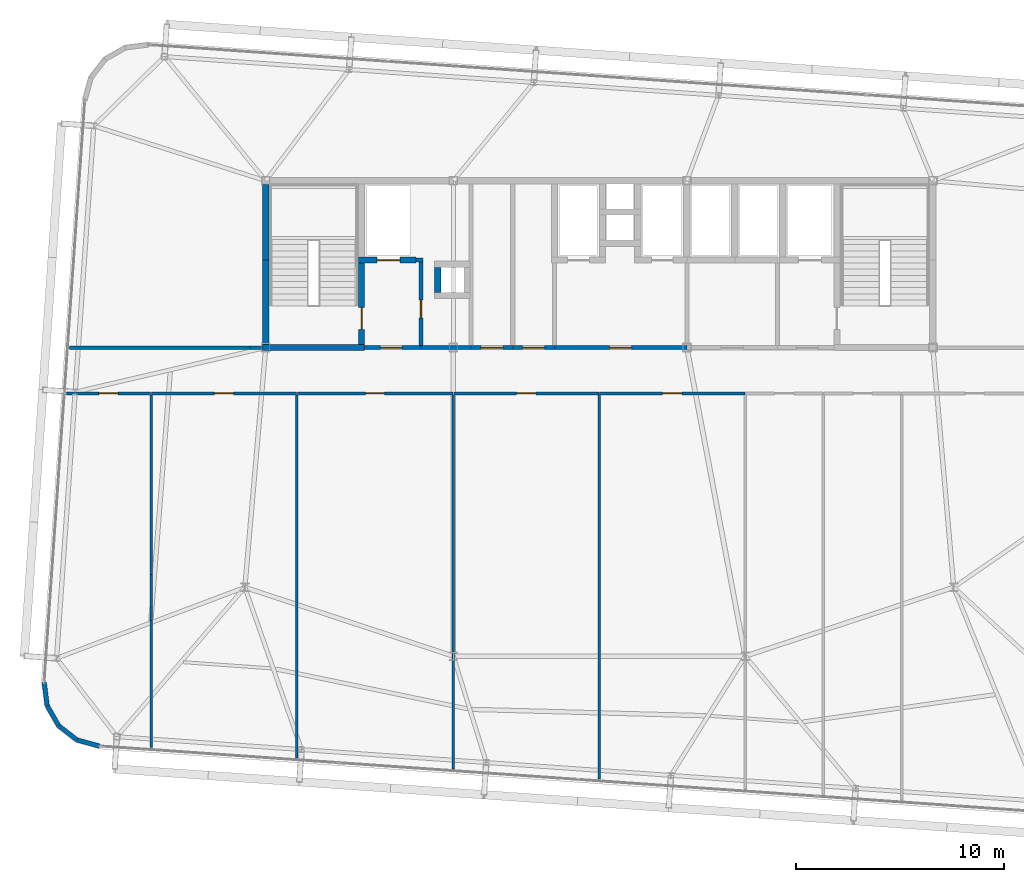
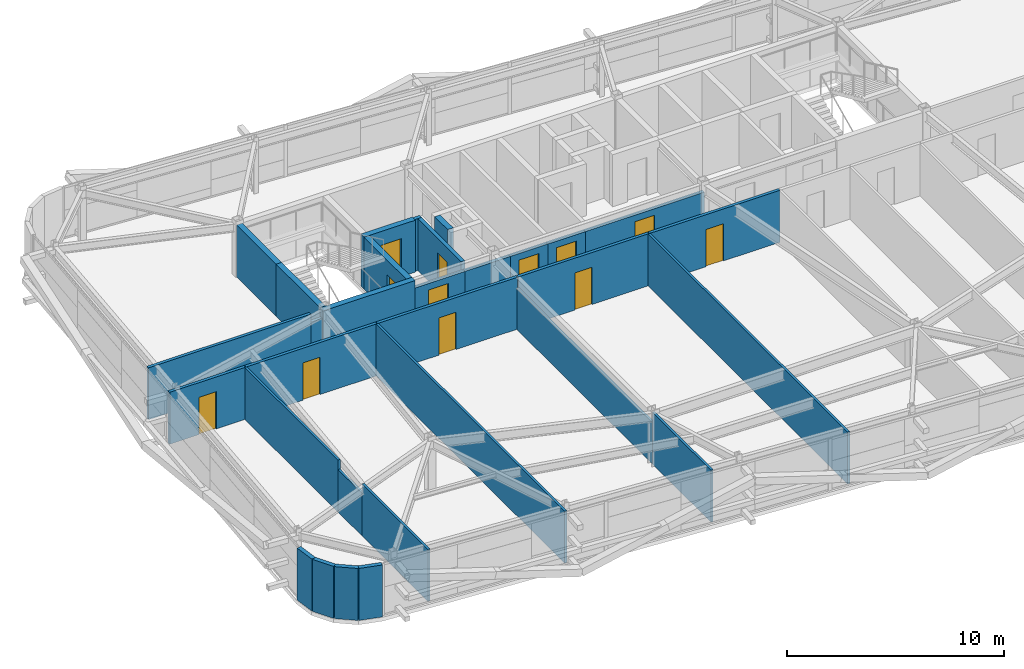
# One storey, part 35 of 39: 31 walls, 12 doors, 12 openings.
"""IFC4 building model written with IfcOpenShell, lengths in metres."""

import ifcopenshell
import ifcopenshell.guid

model = None  # the IFC model being written
_history = None  # IfcOwnerHistory: only IFC2X3 demands one
_inside = {}  # id of a spatial element -> (the spatial element, [elements in it])
_under = {}  # id of a project, library or spatial element -> (it, [spatial elements below it])
_declared = {}  # id of a project -> (the project, [libraries it declares])
_typed = {}  # id of a type object -> (the type object, [elements of that type])
_made_of = {}  # id of a material, layer set ... -> (it, [elements and type objects made of it])


def new_model(schema):
    """Start an empty IFC model of exactly this schema.

    Asked for "IFC4X3", IfcOpenShell would pick the latest addendum, in which some entities
    have other attributes; the version numbers below select the first issue.
    IFC2X3 requires an IfcOwnerHistory on every rooted entity: one is made here for all.
    """
    global model, _history
    if schema == "IFC4X3":
        model = ifcopenshell.file(schema_version=(4, 3, 0, 0))
    else:
        model = ifcopenshell.file(schema=schema)
    _inside.clear()
    _under.clear()
    _declared.clear()
    _typed.clear()
    _made_of.clear()
    _history = None
    if model.schema == "IFC2X3":
        org = make("IfcOrganization", Name="unknown")
        user = make(
            "IfcPersonAndOrganization",
            ThePerson=make("IfcPerson", FamilyName="unknown"),
            TheOrganization=org,
        )
        app = make(
            "IfcApplication",
            ApplicationDeveloper=org,
            Version="unknown",
            ApplicationFullName="unknown",
            ApplicationIdentifier="unknown",
        )
        _history = make(
            "IfcOwnerHistory",
            OwningUser=user,
            OwningApplication=app,
            ChangeAction="ADDED",
            CreationDate=0,
        )
    return model


def make(cls, **values):
    """One entity of the class cls with the attributes given. An attribute that is None is left unset."""
    return model.create_entity(
        cls, **{name: value for name, value in values.items() if value is not None}
    )


def rooted(cls, **values):
    """An entity with a GlobalId (a new one), such as an element, a storey or a relation."""
    return make(cls, GlobalId=ifcopenshell.guid.new(), OwnerHistory=_history, **values)


def si_unit(unit_type, name, prefix=None):
    """IfcSIUnit, for example si_unit("LENGTHUNIT", "METRE", prefix="MILLI")."""
    return make("IfcSIUnit", UnitType=unit_type, Prefix=prefix, Name=name)


def assignment(units):
    """IfcUnitAssignment: the units of a project."""
    return None if units is None else make("IfcUnitAssignment", Units=units)


def point(xyz):
    """IfcCartesianPoint."""
    return None if xyz is None else make("IfcCartesianPoint", Coordinates=xyz)


def direction(xyz):
    """IfcDirection."""
    return None if xyz is None else make("IfcDirection", DirectionRatios=xyz)


def frame(location, z_axis=None, x_axis=None):
    """IfcAxis2Placement3D, a coordinate frame: its origin and axes. An axis left out is left unset."""
    return make(
        "IfcAxis2Placement3D",
        Location=point(location),
        Axis=direction(z_axis),
        RefDirection=direction(x_axis),
    )


def frame_2d(location, x_axis=None):
    """IfcAxis2Placement2D, a coordinate frame in the plane: its origin and x axis."""
    return make(
        "IfcAxis2Placement2D", Location=point(location), RefDirection=direction(x_axis)
    )


def origin():
    """The frame at (0, 0, 0) with its axes left unset."""
    return frame((0.0, 0.0, 0.0))


def place(relative_to, where):
    """IfcLocalPlacement: puts the frame where relative to a parent placement (None: the world)."""
    return make(
        "IfcLocalPlacement", PlacementRelTo=relative_to, RelativePlacement=where
    )


def context(
    kind, dimensions, precision=None, world=None, true_north=None, identifier=None
):
    """IfcGeometricRepresentationContext, for example the 3D "Model" context."""
    return make(
        "IfcGeometricRepresentationContext",
        ContextIdentifier=identifier,
        ContextType=kind,
        CoordinateSpaceDimension=dimensions,
        Precision=precision,
        WorldCoordinateSystem=world,
        TrueNorth=true_north,
    )


def subcontext(parent, identifier, kind, view, scale=None):
    """IfcGeometricRepresentationSubContext, for example "Body" below "Model"."""
    return make(
        "IfcGeometricRepresentationSubContext",
        ContextIdentifier=identifier,
        ContextType=kind,
        ParentContext=parent,
        TargetScale=scale,
        TargetView=view,
    )


def project(units=None, contexts=None):
    """IfcProject with its units and contexts."""
    return rooted(
        "IfcProject",
        Name="project",
        RepresentationContexts=contexts,
        UnitsInContext=assignment(units),
    )


def spatial(cls, under=None, at=None, **own):
    """A site, building, storey or space (cls), placed at a placement, below another one or the project."""
    s = rooted(cls, ObjectPlacement=at, **own)
    if under is not None:
        _under.setdefault(under.id(), (under, []))[1].append(s)
    return s


def profile(cls, at=None, kind="AREA", **sizes):
    """A parametric profile (cls). Its sizes go by their IFC names, for example OverallWidth=200.0."""
    return make(cls, ProfileType=kind, Position=at, **sizes)


def rectangle(**sizes):
    """IfcRectangleProfileDef."""
    return profile("IfcRectangleProfileDef", **sizes)


def extrude(swept, where, along, depth):
    """IfcExtrudedAreaSolid: the profile swept, set in the frame where, extruded along a direction by depth."""
    return make(
        "IfcExtrudedAreaSolid",
        SweptArea=swept,
        Position=where,
        ExtrudedDirection=direction(along),
        Depth=depth,
    )


def shape(context_of_items, identifier, shape_type, items):
    """IfcShapeRepresentation: the items that make up one representation, for example the "Body"."""
    return make(
        "IfcShapeRepresentation",
        ContextOfItems=context_of_items,
        RepresentationIdentifier=identifier,
        RepresentationType=shape_type,
        Items=items,
    )


def source(mapping_origin, context_of_items, identifier, shape_type, items):
    """IfcRepresentationMap: a shape defined once, which mapped items show again and again."""
    return make(
        "IfcRepresentationMap",
        MappingOrigin=mapping_origin,
        MappedRepresentation=shape(context_of_items, identifier, shape_type, items),
    )


def transform(
    local_origin,
    x_axis=None,
    y_axis=None,
    z_axis=None,
    scale=None,
    scale2=None,
    scale3=None,
    uniform=True,
):
    """IfcCartesianTransformationOperator3D, or its non-uniform kind. x_axis, y_axis, z_axis: its Axis1, 2, 3."""
    if uniform:
        return make(
            "IfcCartesianTransformationOperator3D",
            Axis1=direction(x_axis),
            Axis2=direction(y_axis),
            LocalOrigin=point(local_origin),
            Scale=scale,
            Axis3=direction(z_axis),
        )
    return make(
        "IfcCartesianTransformationOperator3DnonUniform",
        Axis1=direction(x_axis),
        Axis2=direction(y_axis),
        LocalOrigin=point(local_origin),
        Scale=scale,
        Axis3=direction(z_axis),
        Scale2=scale2,
        Scale3=scale3,
    )


def mapped(mapping_source, mapping_target):
    """IfcMappedItem: shows the shape of a source again, moved by a transform."""
    return make(
        "IfcMappedItem", MappingSource=mapping_source, MappingTarget=mapping_target
    )


def material(Name=None, Category=None):
    """IfcMaterial."""
    return make("IfcMaterial", Name=Name, Category=Category)


def layer(
    of_material, thickness, ventilated=None, Name=None, Category=None, Priority=None
):
    """IfcMaterialLayer: one layer of a wall or slab, of a material (None: an air gap)."""
    return make(
        "IfcMaterialLayer",
        Material=of_material,
        LayerThickness=thickness,
        IsVentilated=ventilated,
        Name=Name,
        Category=Category,
        Priority=Priority,
    )


def layer_set(layers, Name=None):
    """IfcMaterialLayerSet."""
    return make("IfcMaterialLayerSet", MaterialLayers=layers, LayerSetName=Name)


def made_of(thing, what):
    """Note that an element or type object is made of a material, layer set ...; save() writes the relation."""
    if what is not None:
        _made_of.setdefault(what.id(), (what, []))[1].append(thing)
    return thing


def type_object(cls, material=None, **own):
    """A type object (cls), such as IfcWallType, which elements share."""
    return made_of(rooted(cls, **own), material)


def element(
    cls,
    number,
    at=None,
    inside=None,
    cuts=None,
    type_object=None,
    material=None,
    context=None,
    identifier="Body",
    shape_type=None,
    held_by="IfcProductDefinitionShape",
    body=None,
    shapes=None,
    **own,
):
    """One element of the class cls, such as IfcWall. Its Tag is "e" and its number.

    at: its placement. inside: the storey or other place that contains it. cuts: it is an
    opening in that element (IfcRelVoidsElement). A single representation is given by context,
    identifier, shape_type and body (its items); several are given by shapes. held_by: the class
    of the entity that holds the representations. save() writes the other relations.
    """
    e = rooted(cls, Tag="e%d" % number, ObjectPlacement=at, **own)
    if body is not None:
        shapes = [shape(context, identifier, shape_type, body)]
    if shapes is not None:
        e.Representation = make(held_by, Representations=shapes)
    if inside is not None:
        _inside.setdefault(inside.id(), (inside, []))[1].append(e)
    if cuts is not None:
        rooted(
            "IfcRelVoidsElement", RelatingBuildingElement=cuts, RelatedOpeningElement=e
        )
    if type_object is not None:
        _typed.setdefault(type_object.id(), (type_object, []))[1].append(e)
    return made_of(e, material)


def fill(opening, filler):
    """IfcRelFillsElement: the door or window that sits in an opening."""
    return rooted(
        "IfcRelFillsElement",
        RelatingOpeningElement=opening,
        RelatedBuildingElement=filler,
    )


def aggregate(whole, parts):
    """IfcRelAggregates: a whole, such as a stair, and the parts it consists of."""
    return rooted("IfcRelAggregates", RelatingObject=whole, RelatedObjects=parts)


def save(model, path):
    """Write the relations noted so far, then the file.

    IfcRelAggregates (storeys below a building ...), IfcRelContainedInSpatialStructure (elements
    in a storey), IfcRelDefinesByType, IfcRelAssociatesMaterial and IfcRelDeclares: one each for
    every whole, place, type object, material and project.
    """
    for whole, parts in _under.values():
        aggregate(whole, parts)
    for where, things in _inside.values():
        rooted(
            "IfcRelContainedInSpatialStructure",
            RelatedElements=things,
            RelatingStructure=where,
        )
    for kind, things in _typed.values():
        rooted("IfcRelDefinesByType", RelatedObjects=things, RelatingType=kind)
    for what, things in _made_of.values():
        rooted("IfcRelAssociatesMaterial", RelatedObjects=things, RelatingMaterial=what)
    for by, libraries in _declared.values():
        rooted("IfcRelDeclares", RelatingContext=by, RelatedDefinitions=libraries)
    model.write(path)


model = new_model("IFC4")

# Units and contexts
model_context = context("Model", 3, precision=1e-05, world=origin(), true_north=direction((0.0, 1.0)))
body_context = subcontext(model_context, "Body", "Model", "MODEL_VIEW")
ifc_project = project(units=[si_unit("LENGTHUNIT", "METRE"), si_unit("AREAUNIT", "SQUARE_METRE"), si_unit("VOLUMEUNIT", "CUBIC_METRE"), si_unit("PLANEANGLEUNIT", "RADIAN"), si_unit("MASSUNIT", "GRAM", prefix="KILO")], contexts=[model_context])

# Site, building, storey
site_placement = place(None, origin())
site = spatial("IfcSite", under=ifc_project, at=site_placement, CompositionType="ELEMENT")
building_placement = place(site_placement, origin())
building = spatial("IfcBuilding", under=site, at=building_placement, Name="Taldren Reach Tower", CompositionType="ELEMENT")
storey_placement = place(building_placement, frame((0.0, 0.0, 155.050048828125)))
storey = spatial("IfcBuildingStorey", under=building, at=storey_placement, Name="L47", CompositionType="ELEMENT", Elevation=155.050048828125)

# Walls
ifc_material_1 = material(Name="Pale Champagne Anodised Aluminium Cladding", Category="aluminium")
ifc_layer_1 = layer(ifc_material_1, 0.04, Name="Pale Champagne Anodised Aluminium Cladding", Category="aluminium")
ifc_material_2 = material(Name="Mineral Wool Acoustic Insulation", Category="insulation")
ifc_layer_2 = layer(ifc_material_2, 0.06, Name="Mineral Wool Acoustic Insulation", Category="insulation")
ifc_material_3 = material(Name="Steel Gr 350 (C350L0)", Category="steel")
ifc_layer_3 = layer(ifc_material_3, 0.12, Name="Steel Gr 350 (C350L0)", Category="steel")
ifc_layer_set_1 = layer_set([ifc_layer_1, ifc_layer_2, ifc_layer_3], Name="Pale Champagne Aluminium Cladding and Steel Gr 350 Stud Framing")
wall_type_1 = type_object("IfcWallType", Name="EW-CRN-220", PredefinedType="SOLIDWALL", material=ifc_layer_set_1)
shared_shape_1 = source(origin(), body_context, "Body", "SweptSolid", [
    extrude(rectangle(XDim=1.115966796875, YDim=0.219970703125, at=frame_2d((0.55810546875, 0.0))), origin(), (0.0, 0.0, 1.0), 2.929931640625),
])
for number, where, z_axis, x_axis, name in (
    (1, (8.37646484375, 7.93798828125, 0.0), (0.0, 0.0, 1.0), (0.126242535829, -0.991999406324, 0.0), "Rounded-corner pale-metal facade wall L47-SW1"),
    (2, (8.517333984375, 6.8310546875, 0.0), (0.0, 0.0, 1.0), (0.496138938357, -0.868243142124, 0.0), "Rounded-corner pale-metal facade wall L47-SW2"),
    (3, (9.071044921875, 5.862060546875, 0.0), (0.0, 0.0, 1.0), (0.790716874741, -0.612182018684, 0.0), "Rounded-corner pale-metal facade wall L47-SW3"),
    (4, (9.953369140625, 5.178955078125, 0.0), (0.0, 0.0, 1.0), (0.964804199372, -0.262969307856, 0.0), "Rounded-corner pale-metal facade wall L47-SW4"),
):
    element("IfcWall", number, at=place(storey_placement, frame(where, z_axis=z_axis, x_axis=x_axis)), inside=storey, type_object=wall_type_1, Name=name, PredefinedType="SOLIDWALL", context=body_context, shape_type="MappedRepresentation", body=[
        mapped(shared_shape_1, transform((0.0, 0.0, 0.0), scale=1.0)),
    ])

# Wall, opening, door
ifc_material_4 = material(Name="Concrete S50 (50 MPa)", Category="concrete")
ifc_layer_4 = layer(ifc_material_4, 0.199951171875)
ifc_layer_set_2 = layer_set([ifc_layer_4], Name="Concrete S50 (50 MPa)")
wall_type_2 = type_object("IfcWallType", Name="IW-CORE-200", PredefinedType="SOLIDWALL", material=ifc_layer_set_2)
shared_shape_2 = source(origin(), body_context, "Body", "SweptSolid", [
    extrude(rectangle(XDim=2.0, YDim=0.199951171875, at=frame_2d((1.0, 0.0))), origin(), (0.0, 0.0, 1.0), 2.469970703125),
])
wall_1_placement = place(storey_placement, frame((30.85009765625, 24.0, 0.0), z_axis=(0.0, 0.0, 1.0), x_axis=(-1.0, 0.0, 0.0)))
wall_1 = element("IfcWall", 5, at=wall_1_placement, inside=storey, type_object=wall_type_2, Name="Rear Core Shear Wall W-INT-L47-039", PredefinedType="SOLIDWALL", context=body_context, shape_type="MappedRepresentation", body=[
    mapped(shared_shape_2, transform((0.0, 0.0, 0.0), scale=1.0)),
])
shared_shape_3 = source(origin(), body_context, "Body", "SweptSolid", [
    extrude(rectangle(XDim=1.050048828125, YDim=2.10009765625, at=frame_2d((0.52490234375, 1.050048828125))), frame((0.0, 0.10986328125, 0.0), z_axis=(0.0, -1.0, 0.0), x_axis=(1.0, 0.0, 0.0)), (0.0, 0.0, 1.0), 0.219970703125),
])
opening_1_placement = place(wall_1_placement, frame((0.47509765625, 0.0, 0.0)))
opening_1 = element("IfcOpeningElement", 6, at=opening_1_placement, cuts=wall_1, Name="Opening DF-105", PredefinedType="OPENING", context=body_context, shape_type="MappedRepresentation", body=[
    mapped(shared_shape_3, transform((0.0, 0.0, 0.0), scale=1.0)),
])
ifc_material_5 = material(Name="Fire-Rated Care and Stair Exit Door")
door_type_1 = type_object("IfcDoorType", Name="ID-FIRE-105", OperationType="NOTDEFINED", PredefinedType="DOOR", material=ifc_material_5)
shared_shape_4 = source(origin(), body_context, "Body", "SweptSolid", [
    extrude(rectangle(XDim=1.050048828125, YDim=2.10009765625, at=frame_2d((0.52490234375, 1.050048828125))), frame((0.0, 0.02490234375, 0.0), z_axis=(0.0, -1.0, 0.0), x_axis=(1.0, 0.0, 0.0)), (0.0, 0.0, 1.0), 0.050048828125),
])
door_1_placement = place(opening_1_placement, frame((1.050048828125, 0.0, 0.0), z_axis=(0.0, 0.0, 1.0), x_axis=(-1.0, 0.0, 0.0)))
door_1 = element("IfcDoor", 7, at=door_1_placement, inside=storey, type_object=door_type_1, Name="Interior Door DR-L47-006", OperationType="SINGLE_SWING_RIGHT", OverallHeight=2.10009765625, OverallWidth=1.050048828125, PredefinedType="DOOR", context=body_context, shape_type="MappedRepresentation", body=[
    mapped(shared_shape_4, transform((0.0, 0.0, 0.0), scale=1.0)),
])
fill(opening_1, door_1)

wall_2_placement = place(storey_placement, frame((32.85009765625, 24.0, 0.0), z_axis=(0.0, 0.0, 1.0), x_axis=(-1.0, 0.0, 0.0)))
wall_2 = element("IfcWall", 8, at=wall_2_placement, inside=storey, type_object=wall_type_2, Name="Rear Core Shear Wall W-INT-L47-040", PredefinedType="SOLIDWALL", context=body_context, shape_type="MappedRepresentation", body=[
    mapped(shared_shape_2, transform((0.0, 0.0, 0.0), scale=1.0)),
])
opening_2_placement = place(wall_2_placement, frame((0.47509765625, 0.0, 0.0)))
opening_2 = element("IfcOpeningElement", 9, at=opening_2_placement, cuts=wall_2, Name="Opening DF-105", PredefinedType="OPENING", context=body_context, shape_type="MappedRepresentation", body=[
    mapped(shared_shape_3, transform((0.0, 0.0, 0.0), scale=1.0)),
])
door_2_placement = place(opening_2_placement, frame((1.050048828125, 0.0, 0.0), z_axis=(0.0, 0.0, 1.0), x_axis=(-1.0, 0.0, 0.0)))
door_2 = element("IfcDoor", 10, at=door_2_placement, inside=storey, type_object=door_type_1, Name="Interior Door DR-L47-007", OperationType="SINGLE_SWING_LEFT", OverallHeight=2.10009765625, OverallWidth=1.050048828125, PredefinedType="DOOR", context=body_context, shape_type="MappedRepresentation", body=[
    mapped(shared_shape_4, transform((0.0, 0.0, 0.0), scale=1.0)),
])
fill(opening_2, door_2)

# Walls
ifc_material_6 = material(Name="Concrete S65 (65 MPa)", Category="concrete")
ifc_layer_5 = layer(ifc_material_6, 0.300048828125)
ifc_layer_set_3 = layer_set([ifc_layer_5], Name="Concrete S65 (65 MPa)")
wall_type_3 = type_object("IfcWallType", Name="IW-CORE-300", PredefinedType="SHEAR", material=ifc_layer_set_3)
shared_shape_5 = source(origin(), body_context, "Body", "SweptSolid", [
    extrude(rectangle(XDim=4.050048828125, YDim=0.300048828125, at=frame_2d((2.02490234375, 0.0))), origin(), (0.0, 0.0, 1.0), 2.929931640625),
])
wall_3_placement = place(storey_placement, frame((19.0, 24.14990234375, 0.0), z_axis=(0.0, 0.0, 1.0), x_axis=(0.0, 1.0, 0.0)))
element("IfcWall", 11, at=wall_3_placement, inside=storey, type_object=wall_type_3, Name="Rear Core Shear Wall W-CORE-L47-WEST1", PredefinedType="SHEAR", context=body_context, shape_type="MappedRepresentation", body=[
    mapped(shared_shape_5, transform((0.0, 0.0, 0.0), scale=1.0)),
])
shared_shape_6 = source(origin(), body_context, "Body", "SweptSolid", [
    extrude(rectangle(XDim=3.650146484375, YDim=0.300048828125, at=frame_2d((1.8251953125, 0.0))), origin(), (0.0, 0.0, 1.0), 2.929931640625),
])
wall_4_placement = place(storey_placement, frame((19.0, 28.199951171875, 0.0), z_axis=(0.0, 0.0, 1.0), x_axis=(0.0, 1.0, 0.0)))
element("IfcWall", 12, at=wall_4_placement, inside=storey, type_object=wall_type_3, Name="Rear Core Shear Wall W-CORE-L47-WEST2", PredefinedType="SHEAR", context=body_context, shape_type="MappedRepresentation", body=[
    mapped(shared_shape_6, transform((0.0, 0.0, 0.0), scale=1.0)),
])

# Wall, opening, door
shared_shape_7 = source(origin(), body_context, "Body", "SweptSolid", [
    extrude(rectangle(XDim=3.900146484375, YDim=0.300048828125, at=frame_2d((1.9501953125, 0.0))), origin(), (0.0, 0.0, 1.0), 2.929931640625),
])
wall_5_placement = place(storey_placement, frame((23.60009765625, 24.14990234375, 0.0), z_axis=(0.0, 0.0, 1.0), x_axis=(0.0, 1.0, 0.0)))
wall_5 = element("IfcWall", 13, at=wall_5_placement, inside=storey, type_object=wall_type_3, Name="Rear Core Shear Wall W-INT-L47-002", PredefinedType="SHEAR", context=body_context, shape_type="MappedRepresentation", body=[
    mapped(shared_shape_7, transform((0.0, 0.0, 0.0), scale=1.0)),
])
shared_shape_8 = source(origin(), body_context, "Body", "SweptSolid", [
    extrude(rectangle(XDim=1.050048828125, YDim=2.10009765625, at=frame_2d((0.52490234375, 1.050048828125))), frame((0.0, 0.16015625, 0.0), z_axis=(0.0, -1.0, 0.0), x_axis=(1.0, 0.0, 0.0)), (0.0, 0.0, 1.0), 0.320068359375),
])
opening_3_placement = place(wall_5_placement, frame((0.72509765625, 0.0, 0.0)))
opening_3 = element("IfcOpeningElement", 14, at=opening_3_placement, cuts=wall_5, Name="Opening DF-105", PredefinedType="OPENING", context=body_context, shape_type="MappedRepresentation", body=[
    mapped(shared_shape_8, transform((0.0, 0.0, 0.0), scale=1.0)),
])
door_3_placement = place(opening_3_placement, origin())
door_3 = element("IfcDoor", 15, at=door_3_placement, inside=storey, type_object=door_type_1, Name="Fire Exit Stair Door DR-L47-001", OperationType="SINGLE_SWING_LEFT", OverallHeight=2.10009765625, OverallWidth=1.050048828125, PredefinedType="DOOR", context=body_context, shape_type="MappedRepresentation", body=[
    mapped(shared_shape_4, transform((0.0, 0.0, 0.0), scale=1.0)),
])
fill(opening_3, door_3)

# Wall
shared_shape_9 = source(origin(), body_context, "Body", "SweptSolid", [
    extrude(rectangle(XDim=4.89990234375, YDim=0.300048828125, at=frame_2d((2.449951171875, 0.0))), origin(), (0.0, 0.0, 1.0), 2.929931640625),
])
wall_6_placement = place(storey_placement, frame((18.85009765625, 24.0, 0.0), z_axis=(0.0, 0.0, 1.0), x_axis=(1.0, 0.0, 0.0)))
element("IfcWall", 16, at=wall_6_placement, inside=storey, type_object=wall_type_3, Name="Rear Core Shear Wall W-INT-L47-003", PredefinedType="SHEAR", context=body_context, shape_type="MappedRepresentation", body=[
    mapped(shared_shape_9, transform((0.0, 0.0, 0.0), scale=1.0)),
])

# Wall, opening, door
shared_shape_10 = source(origin(), body_context, "Body", "SweptSolid", [
    extrude(rectangle(XDim=2.699951171875, YDim=0.199951171875, at=frame_2d((1.35009765625, 0.0))), origin(), (0.0, 0.0, 1.0), 2.469970703125),
])
wall_7_placement = place(storey_placement, frame((23.75, 24.0, 0.0), z_axis=(0.0, 0.0, 1.0), x_axis=(1.0, 0.0, 0.0)))
wall_7 = element("IfcWall", 17, at=wall_7_placement, inside=storey, type_object=wall_type_2, Name="Rear Core Shear Wall W-INT-L47-006", PredefinedType="SOLIDWALL", context=body_context, shape_type="MappedRepresentation", body=[
    mapped(shared_shape_10, transform((0.0, 0.0, 0.0), scale=1.0)),
])
opening_4_placement = place(wall_7_placement, frame((0.75, 0.0, 0.0)))
opening_4 = element("IfcOpeningElement", 18, at=opening_4_placement, cuts=wall_7, Name="Opening DF-105", PredefinedType="OPENING", context=body_context, shape_type="MappedRepresentation", body=[
    mapped(shared_shape_3, transform((0.0, 0.0, 0.0), scale=1.0)),
])
door_4_placement = place(opening_4_placement, origin())
door_4 = element("IfcDoor", 19, at=door_4_placement, inside=storey, type_object=door_type_1, Name="Interior Door DR-L47-002", OperationType="SINGLE_SWING_LEFT", OverallHeight=2.10009765625, OverallWidth=1.050048828125, PredefinedType="DOOR", context=body_context, shape_type="MappedRepresentation", body=[
    mapped(shared_shape_4, transform((0.0, 0.0, 0.0), scale=1.0)),
])
fill(opening_4, door_4)

# Wall
shared_shape_11 = source(origin(), body_context, "Body", "SweptSolid", [
    extrude(rectangle(XDim=1.2001953125, YDim=0.300048828125, at=frame_2d((0.60009765625, 0.0))), origin(), (0.0, 0.0, 1.0), 2.929931640625),
])
wall_8_placement = place(storey_placement, frame((27.25, 27.85009765625, 0.0), z_axis=(0.0, 0.0, 1.0), x_axis=(0.0, -1.0, 0.0)))
element("IfcWall", 20, at=wall_8_placement, inside=storey, type_object=wall_type_3, Name="Rear Core Shear Wall W-INT-L47-021", PredefinedType="SHEAR", context=body_context, shape_type="MappedRepresentation", body=[
    mapped(shared_shape_11, transform((0.0, 0.0, 0.0), scale=1.0)),
])

# Wall, opening, door
shared_shape_12 = source(origin(), body_context, "Body", "SweptSolid", [
    extrude(rectangle(XDim=4.0, YDim=0.199951171875, at=frame_2d((2.0, 0.0))), origin(), (0.0, 0.0, 1.0), 2.929931640625),
])
wall_9_placement = place(storey_placement, frame((26.449951171875, 24.10009765625, 0.0), z_axis=(0.0, 0.0, 1.0), x_axis=(0.0, 1.0, 0.0)))
wall_9 = element("IfcWall", 21, at=wall_9_placement, inside=storey, type_object=wall_type_2, Name="Rear Core Shear Wall W-INT-L47-005", PredefinedType="SOLIDWALL", context=body_context, shape_type="MappedRepresentation", body=[
    mapped(shared_shape_12, transform((0.0, 0.0, 0.0), scale=1.0)),
])
shared_shape_13 = source(origin(), body_context, "Body", "SweptSolid", [
    extrude(rectangle(XDim=0.860107421875, YDim=2.10009765625, at=frame_2d((0.43017578125, 1.050048828125))), frame((0.0, 0.10986328125, 0.0), z_axis=(0.0, -1.0, 0.0), x_axis=(1.0, 0.0, 0.0)), (0.0, 0.0, 1.0), 0.219970703125),
])
opening_5_placement = place(wall_9_placement, frame((1.320068359375, 0.0, 0.0)))
opening_5 = element("IfcOpeningElement", 22, at=opening_5_placement, cuts=wall_9, Name="Opening DI-086", PredefinedType="OPENING", context=body_context, shape_type="MappedRepresentation", body=[
    mapped(shared_shape_13, transform((0.0, 0.0, 0.0), scale=1.0)),
])
ifc_material_7 = material(Name="Timber Bathroom Door", Category="wood")
door_type_2 = type_object("IfcDoorType", Name="ID-INT-086", OperationType="NOTDEFINED", PredefinedType="DOOR", material=ifc_material_7)
shared_shape_14 = source(origin(), body_context, "Body", "SweptSolid", [
    extrude(rectangle(XDim=0.860107421875, YDim=2.10009765625, at=frame_2d((0.43017578125, 1.050048828125))), frame((0.0, 0.02490234375, 0.0), z_axis=(0.0, -1.0, 0.0), x_axis=(1.0, 0.0, 0.0)), (0.0, 0.0, 1.0), 0.050048828125),
])
door_5_placement = place(opening_5_placement, frame((0.860107421875, 0.0, 0.0), z_axis=(0.0, 0.0, 1.0), x_axis=(-1.0, 0.0, 0.0)))
door_5 = element("IfcDoor", 23, at=door_5_placement, inside=storey, type_object=door_type_2, Name="Interior Door DR-L47-019", OperationType="SINGLE_SWING_RIGHT", OverallHeight=2.10009765625, OverallWidth=0.860107421875, PredefinedType="DOOR", context=body_context, shape_type="MappedRepresentation", body=[
    mapped(shared_shape_14, transform((0.0, 0.0, 0.0), scale=1.0)),
])
fill(opening_5, door_5)

shared_shape_15 = source(origin(), body_context, "Body", "SweptSolid", [
    extrude(rectangle(XDim=6.349853515625, YDim=0.199951171875, at=frame_2d((3.1748046875, 0.0))), origin(), (0.0, 0.0, 1.0), 2.469970703125),
])
wall_10_placement = place(storey_placement, frame((39.199951171875, 24.0, 0.0), z_axis=(0.0, 0.0, 1.0), x_axis=(-1.0, 0.0, 0.0)))
wall_10 = element("IfcWall", 24, at=wall_10_placement, inside=storey, type_object=wall_type_2, Name="Rear Core Shear Wall W-INT-L47-032", PredefinedType="SOLIDWALL", context=body_context, shape_type="MappedRepresentation", body=[
    mapped(shared_shape_15, transform((0.0, 0.0, 0.0), scale=1.0)),
])
opening_6_placement = place(wall_10_placement, frame((2.64990234375, 0.0, 0.0)))
opening_6 = element("IfcOpeningElement", 25, at=opening_6_placement, cuts=wall_10, Name="Opening DF-105", PredefinedType="OPENING", context=body_context, shape_type="MappedRepresentation", body=[
    mapped(shared_shape_3, transform((0.0, 0.0, 0.0), scale=1.0)),
])
door_6_placement = place(opening_6_placement, frame((1.050048828125, 0.0, 0.0), z_axis=(0.0, 0.0, 1.0), x_axis=(-1.0, 0.0, 0.0)))
door_6 = element("IfcDoor", 26, at=door_6_placement, inside=storey, type_object=door_type_1, Name="Interior Door DR-L47-005", OperationType="SINGLE_SWING_LEFT", OverallHeight=2.10009765625, OverallWidth=1.050048828125, PredefinedType="DOOR", context=body_context, shape_type="MappedRepresentation", body=[
    mapped(shared_shape_4, transform((0.0, 0.0, 0.0), scale=1.0)),
])
fill(opening_6, door_6)

# Walls
ifc_material_8 = material(Name="Fire-Rated Acoustic Plasterboard Stud Wall", Category="gypsum")
ifc_layer_6 = layer(ifc_material_8, 0.159912109375)
ifc_layer_set_4 = layer_set([ifc_layer_6], Name="Fire-Rated Acoustic Plasterboard Stud Wall")
wall_type_4 = type_object("IfcWallType", Name="IW-FIRE-160", PredefinedType="PARTITIONING", material=ifc_layer_set_4)
shared_shape_16 = source(origin(), body_context, "Body", "SweptSolid", [
    extrude(rectangle(XDim=8.65234375, YDim=0.159912109375, at=frame_2d((4.326171875, 0.0))), origin(), (0.0, 0.0, 1.0), 2.929931640625),
])
wall_11_placement = place(storey_placement, frame((9.584228515625, 24.0, 0.0), z_axis=(0.0, 0.0, 1.0), x_axis=(1.0, 0.0, 0.0)))
element("IfcWall", 27, at=wall_11_placement, inside=storey, type_object=wall_type_4, Name="Interior Partition Wall W-INT-L47-052", PredefinedType="PARTITIONING", context=body_context, shape_type="MappedRepresentation", body=[
    mapped(shared_shape_16, transform((0.0, 0.0, 0.0), scale=1.0)),
])
shared_shape_17 = source(origin(), body_context, "Body", "SweptSolid", [
    extrude(rectangle(XDim=0.613525390625, YDim=0.159912109375, at=frame_2d((0.306640625, 0.0))), origin(), (0.0, 0.0, 1.0), 2.469970703125),
])
wall_12_placement = place(storey_placement, frame((18.236572265625, 24.0, 0.0), z_axis=(0.0, 0.0, 1.0), x_axis=(1.0, 0.0, 0.0)))
element("IfcWall", 28, at=wall_12_placement, inside=storey, type_object=wall_type_4, Name="Interior Partition Wall W-INT-L47-052 part 2", PredefinedType="PARTITIONING", context=body_context, shape_type="MappedRepresentation", body=[
    mapped(shared_shape_17, transform((0.0, 0.0, 0.0), scale=1.0)),
])

# Wall, opening, door
shared_shape_18 = source(origin(), body_context, "Body", "SweptSolid", [
    extrude(rectangle(XDim=2.75, YDim=0.300048828125, at=frame_2d((1.375, 0.0))), origin(), (0.0, 0.0, 1.0), 2.929931640625),
])
wall_13_placement = place(storey_placement, frame((23.449951171875, 28.199951171875, 0.0), z_axis=(0.0, 0.0, 1.0), x_axis=(1.0, 0.0, 0.0)))
wall_13 = element("IfcWall", 29, at=wall_13_placement, inside=storey, type_object=wall_type_3, Name="Rear Core Shear Wall W-INT-L47-004", PredefinedType="SHEAR", context=body_context, shape_type="MappedRepresentation", body=[
    mapped(shared_shape_18, transform((0.0, 0.0, 0.0), scale=1.0)),
])
shared_shape_19 = source(origin(), body_context, "Body", "SweptSolid", [
    extrude(rectangle(XDim=1.10009765625, YDim=2.14990234375, at=frame_2d((0.550048828125, 1.074951171875))), frame((0.0, 0.16015625, 0.0), z_axis=(0.0, -1.0, 0.0), x_axis=(1.0, 0.0, 0.0)), (0.0, 0.0, 1.0), 0.320068359375),
])
opening_7_placement = place(wall_13_placement, frame((0.89990234375, 0.0, 0.0)))
opening_7 = element("IfcOpeningElement", 30, at=opening_7_placement, cuts=wall_13, Name="Opening LD-FL1", PredefinedType="OPENING", context=body_context, shape_type="MappedRepresentation", body=[
    mapped(shared_shape_19, transform((0.0, 0.0, 0.0), scale=1.0)),
])
ifc_material_9 = material(Name="Stainless Steel Gr 316 Emergency Lift Landing Door", Category="steel")
door_type_3 = type_object("IfcDoorType", Name="LD-EMG-110", OperationType="SLIDING_TO_LEFT", PredefinedType="DOOR", material=ifc_material_9)
shared_shape_20 = source(origin(), body_context, "Body", "SweptSolid", [
    extrude(rectangle(XDim=1.10009765625, YDim=2.14990234375, at=frame_2d((0.550048828125, 1.074951171875))), frame((0.0, 0.02490234375, 0.0), z_axis=(0.0, -1.0, 0.0), x_axis=(1.0, 0.0, 0.0)), (0.0, 0.0, 1.0), 0.050048828125),
])
door_7_placement = place(opening_7_placement, origin())
door_7 = element("IfcDoor", 31, at=door_7_placement, inside=storey, type_object=door_type_3, Name="Lift Landing Door LD-FL1-L47", OperationType="SLIDING_TO_LEFT", OverallHeight=2.14990234375, OverallWidth=1.10009765625, PredefinedType="DOOR", context=body_context, shape_type="MappedRepresentation", body=[
    mapped(shared_shape_20, transform((0.0, 0.0, 0.0), scale=1.0)),
])
fill(opening_7, door_7)

# Wall
shared_shape_21 = source(origin(), body_context, "Body", "SweptSolid", [
    extrude(rectangle(XDim=2.400146484375, YDim=0.199951171875, at=frame_2d((1.2001953125, 0.0))), origin(), (0.0, 0.0, 1.0), 2.469970703125),
])
wall_14_placement = place(storey_placement, frame((28.85009765625, 24.0, 0.0), z_axis=(0.0, 0.0, 1.0), x_axis=(-1.0, 0.0, 0.0)))
element("IfcWall", 32, at=wall_14_placement, inside=storey, type_object=wall_type_2, Name="Rear Core Shear Wall W-INT-L47-037", PredefinedType="SOLIDWALL", context=body_context, shape_type="MappedRepresentation", body=[
    mapped(shared_shape_21, transform((0.0, 0.0, 0.0), scale=1.0)),
])

# Wall, opening, door
shared_shape_22 = source(origin(), body_context, "Body", "SweptSolid", [
    extrude(rectangle(XDim=7.45947265625, YDim=0.159912109375, at=frame_2d((3.729736328125, 0.0))), origin(), (0.0, 0.0, 1.0), 2.929931640625),
])
wall_15_placement = place(storey_placement, frame((27.979736328125, 21.800048828125, 0.0), z_axis=(0.0, 0.0, 1.0), x_axis=(-1.0, 0.0, 0.0)))
wall_15 = element("IfcWall", 33, at=wall_15_placement, inside=storey, type_object=wall_type_4, Name="Interior Partition Wall W-INT-L47-044", PredefinedType="PARTITIONING", context=body_context, shape_type="MappedRepresentation", body=[
    mapped(shared_shape_22, transform((0.0, 0.0, 0.0), scale=1.0)),
])
shared_shape_23 = source(origin(), body_context, "Body", "SweptSolid", [
    extrude(rectangle(XDim=0.919921875, YDim=2.10009765625, at=frame_2d((0.4599609375, 1.050048828125))), frame((0.0, 0.08984375, 0.0), z_axis=(0.0, -1.0, 0.0), x_axis=(1.0, 0.0, 0.0)), (0.0, 0.0, 1.0), 0.179931640625),
])
opening_8_placement = place(wall_15_placement, frame((3.269775390625, 0.0, 0.0)))
opening_8 = element("IfcOpeningElement", 34, at=opening_8_placement, cuts=wall_15, Name="Opening DI-092", PredefinedType="OPENING", context=body_context, shape_type="MappedRepresentation", body=[
    mapped(shared_shape_23, transform((0.0, 0.0, 0.0), scale=1.0)),
])
ifc_material_10 = material(Name="Solid-Core Timber Suite Door", Category="wood")
door_type_4 = type_object("IfcDoorType", Name="ID-INT-092", OperationType="NOTDEFINED", PredefinedType="DOOR", material=ifc_material_10)
shared_shape_24 = source(origin(), body_context, "Body", "SweptSolid", [
    extrude(rectangle(XDim=0.919921875, YDim=2.10009765625, at=frame_2d((0.4599609375, 1.050048828125))), frame((0.0, 0.02490234375, 0.0), z_axis=(0.0, -1.0, 0.0), x_axis=(1.0, 0.0, 0.0)), (0.0, 0.0, 1.0), 0.050048828125),
])
door_8_placement = place(opening_8_placement, origin())
door_8 = element("IfcDoor", 35, at=door_8_placement, inside=storey, type_object=door_type_4, Name="Interior Door DR-L47-011", OperationType="SINGLE_SWING_RIGHT", OverallHeight=2.10009765625, OverallWidth=0.919921875, PredefinedType="DOOR", context=body_context, shape_type="MappedRepresentation", body=[
    mapped(shared_shape_24, transform((0.0, 0.0, 0.0), scale=1.0)),
])
fill(opening_8, door_8)

# Walls
shared_shape_25 = source(origin(), body_context, "Body", "SweptSolid", [
    extrude(rectangle(XDim=0.35009765625, YDim=0.199951171875, at=frame_2d((0.175048828125, 0.0))), origin(), (0.0, 0.0, 1.0), 2.929931640625),
])
wall_16_placement = place(storey_placement, frame((26.199951171875, 28.199951171875, 0.0), z_axis=(0.0, 0.0, 1.0), x_axis=(1.0, 0.0, 0.0)))
element("IfcWall", 36, at=wall_16_placement, inside=storey, type_object=wall_type_2, Name="Rear Core Partition Wall W-INT-L47-061", PredefinedType="SOLIDWALL", context=body_context, shape_type="MappedRepresentation", body=[
    mapped(shared_shape_25, transform((0.0, 0.0, 0.0), scale=1.0)),
])
ifc_material_11 = material(Name="Insulated Residential Stud Partition", Category="gypsum")
ifc_layer_7 = layer(ifc_material_11, 0.1201171875)
ifc_layer_set_5 = layer_set([ifc_layer_7], Name="Insulated Residential Stud Partition")
wall_type_5 = type_object("IfcWallType", Name="IW-PART-120", PredefinedType="PARTITIONING", material=ifc_layer_set_5)
shared_shape_26 = source(origin(), body_context, "Body", "SweptSolid", [
    extrude(rectangle(XDim=18.410888671875, YDim=0.1201171875, at=frame_2d((9.20556640625, 0.0))), origin(), (0.0, 0.0, 1.0), 2.929931640625),
])
wall_17_placement = place(storey_placement, frame((35.0, 21.718017578125, 0.0), z_axis=(0.0, 0.0, 1.0), x_axis=(0.0, -1.0, 0.0)))
element("IfcWall", 37, at=wall_17_placement, inside=storey, type_object=wall_type_5, Name="Interior Partition Wall W-INT-L47-056", PredefinedType="PARTITIONING", context=body_context, shape_type="MappedRepresentation", body=[
    mapped(shared_shape_26, transform((0.0, 0.0, 0.0), scale=1.0)),
])

# Wall, opening, door
shared_shape_27 = source(origin(), body_context, "Body", "SweptSolid", [
    extrude(rectangle(XDim=4.038330078125, YDim=0.159912109375, at=frame_2d((2.01904296875, 0.0))), origin(), (0.0, 0.0, 1.0), 2.929931640625),
])
wall_18_placement = place(storey_placement, frame((13.479736328125, 21.800048828125, 0.0), z_axis=(0.0, 0.0, 1.0), x_axis=(-1.0, 0.0, 0.0)))
wall_18 = element("IfcWall", 38, at=wall_18_placement, inside=storey, type_object=wall_type_4, Name="Interior Partition Wall W-INT-L47-042", PredefinedType="PARTITIONING", context=body_context, shape_type="MappedRepresentation", body=[
    mapped(shared_shape_27, transform((0.0, 0.0, 0.0), scale=1.0)),
])
opening_9_placement = place(wall_18_placement, frame((1.55908203125, 0.0, 0.0)))
opening_9 = element("IfcOpeningElement", 39, at=opening_9_placement, cuts=wall_18, Name="Opening DI-092", PredefinedType="OPENING", context=body_context, shape_type="MappedRepresentation", body=[
    mapped(shared_shape_23, transform((0.0, 0.0, 0.0), scale=1.0)),
])
door_9_placement = place(opening_9_placement, origin())
door_9 = element("IfcDoor", 40, at=door_9_placement, inside=storey, type_object=door_type_4, Name="Interior Door DR-L47-009", OperationType="SINGLE_SWING_RIGHT", OverallHeight=2.10009765625, OverallWidth=0.919921875, PredefinedType="DOOR", context=body_context, shape_type="MappedRepresentation", body=[
    mapped(shared_shape_24, transform((0.0, 0.0, 0.0), scale=1.0)),
])
fill(opening_9, door_9)

shared_shape_28 = source(origin(), body_context, "Body", "SweptSolid", [
    extrude(rectangle(XDim=6.95947265625, YDim=0.159912109375, at=frame_2d((3.479736328125, 0.0))), origin(), (0.0, 0.0, 1.0), 2.929931640625),
])
wall_19_placement = place(storey_placement, frame((20.479736328125, 21.800048828125, 0.0), z_axis=(0.0, 0.0, 1.0), x_axis=(-1.0, 0.0, 0.0)))
wall_19 = element("IfcWall", 41, at=wall_19_placement, inside=storey, type_object=wall_type_4, Name="Interior Partition Wall W-INT-L47-043", PredefinedType="PARTITIONING", context=body_context, shape_type="MappedRepresentation", body=[
    mapped(shared_shape_28, transform((0.0, 0.0, 0.0), scale=1.0)),
])
opening_10_placement = place(wall_19_placement, frame((3.019775390625, 0.0, 0.0)))
opening_10 = element("IfcOpeningElement", 42, at=opening_10_placement, cuts=wall_19, Name="Opening DI-092", PredefinedType="OPENING", context=body_context, shape_type="MappedRepresentation", body=[
    mapped(shared_shape_23, transform((0.0, 0.0, 0.0), scale=1.0)),
])
door_10_placement = place(opening_10_placement, origin())
door_10 = element("IfcDoor", 43, at=door_10_placement, inside=storey, type_object=door_type_4, Name="Interior Door DR-L47-010", OperationType="SINGLE_SWING_LEFT", OverallHeight=2.10009765625, OverallWidth=0.919921875, PredefinedType="DOOR", context=body_context, shape_type="MappedRepresentation", body=[
    mapped(shared_shape_24, transform((0.0, 0.0, 0.0), scale=1.0)),
])
fill(opening_10, door_10)

shared_shape_29 = source(origin(), body_context, "Body", "SweptSolid", [
    extrude(rectangle(XDim=6.959228515625, YDim=0.159912109375, at=frame_2d((3.4794921875, 0.0))), origin(), (0.0, 0.0, 1.0), 2.929931640625),
])
wall_20_placement = place(storey_placement, frame((34.979736328125, 21.800048828125, 0.0), z_axis=(0.0, 0.0, 1.0), x_axis=(-1.0, 0.0, 0.0)))
wall_20 = element("IfcWall", 44, at=wall_20_placement, inside=storey, type_object=wall_type_4, Name="Interior Partition Wall W-INT-L47-045", PredefinedType="PARTITIONING", context=body_context, shape_type="MappedRepresentation", body=[
    mapped(shared_shape_29, transform((0.0, 0.0, 0.0), scale=1.0)),
])
opening_11_placement = place(wall_20_placement, frame((3.01953125, 0.0, 0.0)))
opening_11 = element("IfcOpeningElement", 45, at=opening_11_placement, cuts=wall_20, Name="Opening DI-092", PredefinedType="OPENING", context=body_context, shape_type="MappedRepresentation", body=[
    mapped(shared_shape_23, transform((0.0, 0.0, 0.0), scale=1.0)),
])
door_11_placement = place(opening_11_placement, origin())
door_11 = element("IfcDoor", 46, at=door_11_placement, inside=storey, type_object=door_type_4, Name="Interior Door DR-L47-012", OperationType="SINGLE_SWING_LEFT", OverallHeight=2.10009765625, OverallWidth=0.919921875, PredefinedType="DOOR", context=body_context, shape_type="MappedRepresentation", body=[
    mapped(shared_shape_24, transform((0.0, 0.0, 0.0), scale=1.0)),
])
fill(opening_11, door_11)

wall_21_placement = place(storey_placement, frame((41.9794921875, 21.800048828125, 0.0), z_axis=(0.0, 0.0, 1.0), x_axis=(-1.0, 0.0, 0.0)))
wall_21 = element("IfcWall", 47, at=wall_21_placement, inside=storey, type_object=wall_type_4, Name="Interior Partition Wall W-INT-L47-046", PredefinedType="PARTITIONING", context=body_context, shape_type="MappedRepresentation", body=[
    mapped(shared_shape_29, transform((0.0, 0.0, 0.0), scale=1.0)),
])
opening_12_placement = place(wall_21_placement, frame((3.01953125, 0.0, 0.0)))
opening_12 = element("IfcOpeningElement", 48, at=opening_12_placement, cuts=wall_21, Name="Opening DI-092", PredefinedType="OPENING", context=body_context, shape_type="MappedRepresentation", body=[
    mapped(shared_shape_23, transform((0.0, 0.0, 0.0), scale=1.0)),
])
door_12_placement = place(opening_12_placement, origin())
door_12 = element("IfcDoor", 49, at=door_12_placement, inside=storey, type_object=door_type_4, Name="Interior Door DR-L47-013", OperationType="SINGLE_SWING_RIGHT", OverallHeight=2.10009765625, OverallWidth=0.919921875, PredefinedType="DOOR", context=body_context, shape_type="MappedRepresentation", body=[
    mapped(shared_shape_24, transform((0.0, 0.0, 0.0), scale=1.0)),
])
fill(opening_12, door_12)

# Walls
shared_shape_30 = source(origin(), body_context, "Body", "SweptSolid", [
    extrude(rectangle(XDim=8.607421875, YDim=0.1201171875, at=frame_2d((4.3037109375, 0.0))), origin(), (0.0, 0.0, 1.0), 2.929931640625),
])
wall_22_placement = place(storey_placement, frame((13.5, 21.719970703125, 0.0), z_axis=(0.0, 0.0, 1.0), x_axis=(0.0, -1.0, 0.0)))
element("IfcWall", 50, at=wall_22_placement, inside=storey, type_object=wall_type_5, Name="Interior Partition Wall W-INT-L47-053", PredefinedType="PARTITIONING", context=body_context, shape_type="MappedRepresentation", body=[
    mapped(shared_shape_30, transform((0.0, 0.0, 0.0), scale=1.0)),
])
shared_shape_31 = source(origin(), body_context, "Body", "SweptSolid", [
    extrude(rectangle(XDim=2.212890625, YDim=0.1201171875, at=frame_2d((1.1064453125, 0.0))), origin(), (0.0, 0.0, 1.0), 2.39697265625),
])
wall_23_placement = place(storey_placement, frame((13.5, 13.112548828125, 0.0), z_axis=(0.0, 0.0, 1.0), x_axis=(0.0, -1.0, 0.0)))
element("IfcWall", 51, at=wall_23_placement, inside=storey, type_object=wall_type_5, Name="Interior Partition Wall W-INT-L47-053 part 2", PredefinedType="PARTITIONING", context=body_context, shape_type="MappedRepresentation", body=[
    mapped(shared_shape_31, transform((0.0, 0.0, 0.0), scale=1.0)),
])
shared_shape_32 = source(origin(), body_context, "Body", "SweptSolid", [
    extrude(rectangle(XDim=6.091064453125, YDim=0.1201171875, at=frame_2d((3.04541015625, 0.0))), origin(), (0.0, 0.0, 1.0), 2.929931640625),
])
wall_24_placement = place(storey_placement, frame((13.5, 10.899658203125, 0.0), z_axis=(0.0, 0.0, 1.0), x_axis=(0.0, -1.0, 0.0)))
element("IfcWall", 52, at=wall_24_placement, inside=storey, type_object=wall_type_5, Name="Interior Partition Wall W-INT-L47-053 part 3", PredefinedType="PARTITIONING", context=body_context, shape_type="MappedRepresentation", body=[
    mapped(shared_shape_32, transform((0.0, 0.0, 0.0), scale=1.0)),
])
shared_shape_33 = source(origin(), body_context, "Body", "SweptSolid", [
    extrude(rectangle(XDim=17.40087890625, YDim=0.1201171875, at=frame_2d((8.700439453125, 0.0))), origin(), (0.0, 0.0, 1.0), 2.929931640625),
])
wall_25_placement = place(storey_placement, frame((20.5, 21.719970703125, 0.0), z_axis=(0.0, 0.0, 1.0), x_axis=(0.0, -1.0, 0.0)))
element("IfcWall", 53, at=wall_25_placement, inside=storey, type_object=wall_type_5, Name="Interior Partition Wall W-INT-L47-054", PredefinedType="PARTITIONING", context=body_context, shape_type="MappedRepresentation", body=[
    mapped(shared_shape_33, transform((0.0, 0.0, 0.0), scale=1.0)),
])
shared_shape_34 = source(origin(), body_context, "Body", "SweptSolid", [
    extrude(rectangle(XDim=12.52001953125, YDim=0.1201171875, at=frame_2d((6.260009765625, 0.0))), origin(), (0.0, 0.0, 1.0), 2.327880859375),
])
wall_26_placement = place(storey_placement, frame((28.0, 21.719970703125, 0.0), z_axis=(0.0, 0.0, 1.0), x_axis=(0.0, -1.0, 0.0)))
element("IfcWall", 54, at=wall_26_placement, inside=storey, type_object=wall_type_5, Name="Interior Partition Wall W-INT-L47-055", PredefinedType="PARTITIONING", context=body_context, shape_type="MappedRepresentation", body=[
    mapped(shared_shape_34, transform((0.0, 0.0, 0.0), scale=1.0)),
])
shared_shape_35 = source(origin(), body_context, "Body", "SweptSolid", [
    extrude(rectangle(XDim=5.4052734375, YDim=0.1201171875, at=frame_2d((2.70263671875, 0.0))), origin(), (0.0, 0.0, 1.0), 2.929931640625),
])
wall_27_placement = place(storey_placement, frame((28.0, 9.199951171875, 0.0), z_axis=(0.0, 0.0, 1.0), x_axis=(0.0, -1.0, 0.0)))
element("IfcWall", 55, at=wall_27_placement, inside=storey, type_object=wall_type_5, Name="Interior Partition Wall W-INT-L47-055 part 2", PredefinedType="PARTITIONING", context=body_context, shape_type="MappedRepresentation", body=[
    mapped(shared_shape_35, transform((0.0, 0.0, 0.0), scale=1.0)),
])

save(model, "model.ifc")
